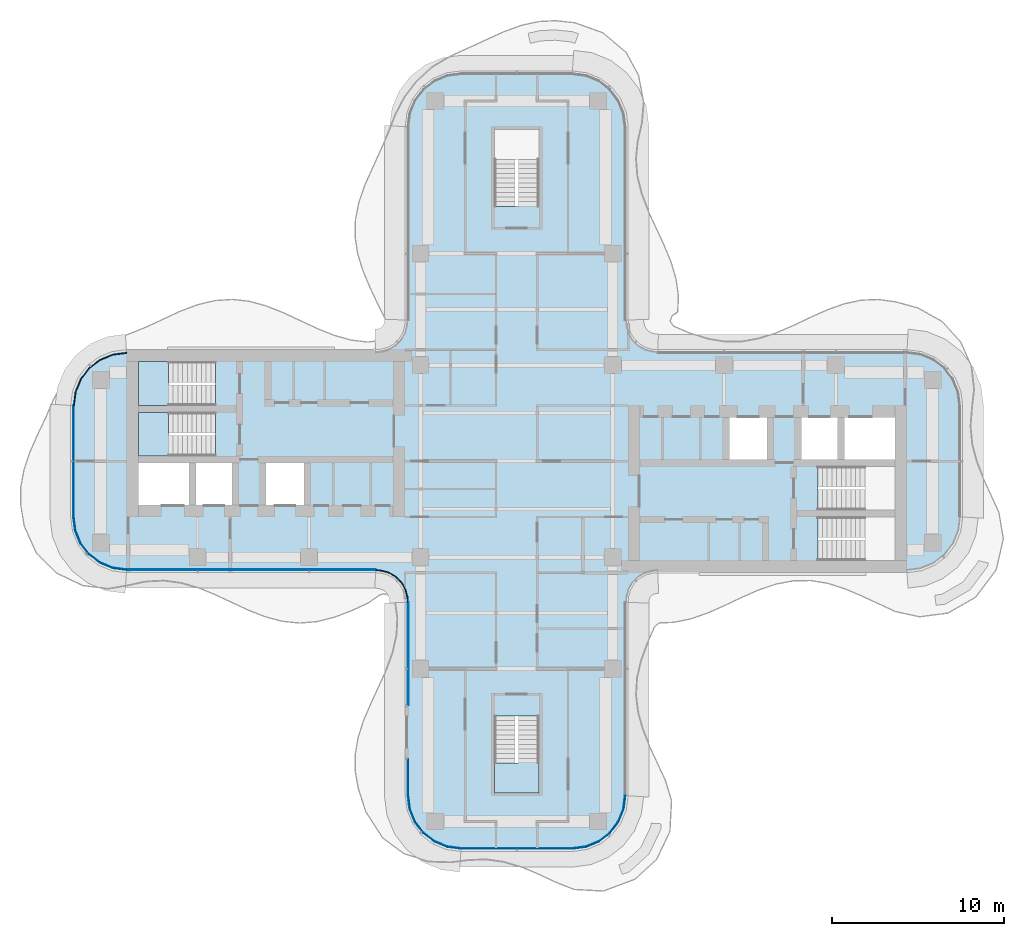
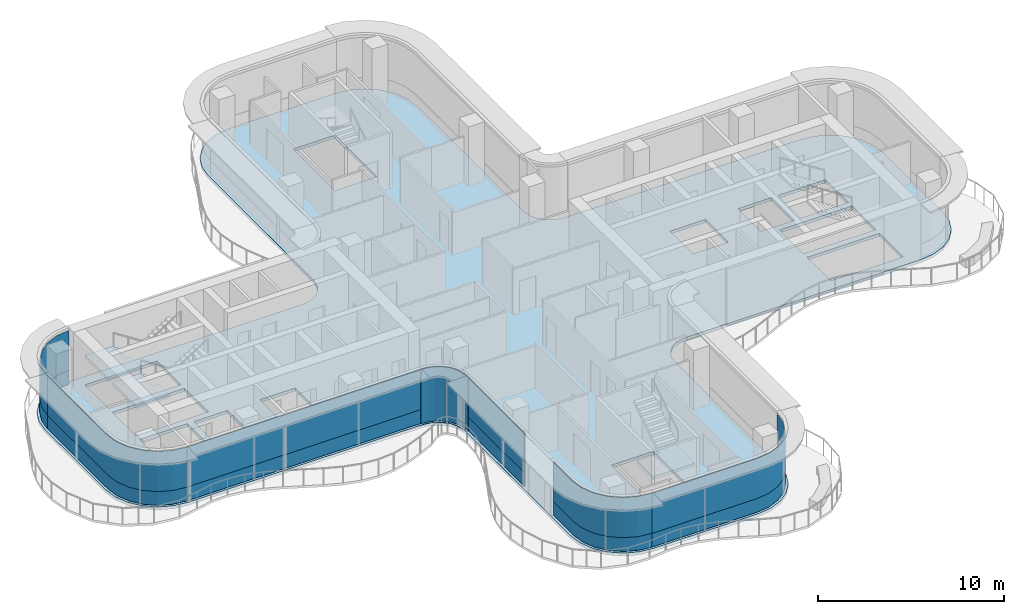
# One storey, part 8 of 16: 13 plates, 4 slabs, 10 elements without a shape of their own.
"""IFC4 building model written with IfcOpenShell, lengths in metres."""

from ifc_helpers import new_model, si_unit, direction, frame, origin, place, context, subcontext, project, spatial, polyline, outline, extrude, source, transform, mapped, material, layer, layer_set, type_object, element, aggregate, save


model = new_model("IFC4")

# Units and contexts
model_context = context("Model", 3, precision=1e-05, world=origin(), true_north=direction((0.0, 1.0)))
body_context = subcontext(model_context, "Body", "Model", "MODEL_VIEW")
ifc_project = project(units=[si_unit("LENGTHUNIT", "METRE"), si_unit("AREAUNIT", "SQUARE_METRE"), si_unit("VOLUMEUNIT", "CUBIC_METRE"), si_unit("PLANEANGLEUNIT", "RADIAN"), si_unit("MASSUNIT", "GRAM", prefix="KILO")], contexts=[model_context])

# Site, building, storey
site_placement = place(None, origin())
site = spatial("IfcSite", under=ifc_project, at=site_placement, CompositionType="ELEMENT")
building_placement = place(site_placement, origin())
building = spatial("IfcBuilding", under=site, at=building_placement, Name="Trellis Farm Tower", CompositionType="ELEMENT")
storey_placement = place(building_placement, frame((0.0, 0.0, 298.89990234375)))
storey = spatial("IfcBuildingStorey", under=building, at=storey_placement, Name="L67", CompositionType="ELEMENT", Elevation=298.89990234375)

# Slab
ifc_material_1 = material(Name="Concrete C40/50", Category="concrete")
ifc_layer_1 = layer(ifc_material_1, 0.199951171875)
ifc_layer_set_1 = layer_set([ifc_layer_1], Name="Composite deck floor slab 200")
slab_type_1 = type_object("IfcSlabType", Name="Composite deck floor slab 200", PredefinedType="FLOOR", material=ifc_layer_set_1)
shared_shape_1 = source(origin(), body_context, "Body", "SweptSolid", [
    extrude(outline(polyline([(-23.59130859375, -6.389404296875), (-24.375, -6.064697265625), (-25.048095703125, -5.548095703125), (-25.564697265625, -4.875), (-25.889404296875, -4.09130859375), (-26.0, -3.25), (-26.0, 3.25), (-25.889404296875, 4.09130859375), (-25.564697265625, 4.875), (-25.048095703125, 5.548095703125), (-24.375, 6.064697265625), (-23.59130859375, 6.389404296875), (-22.75, 6.5), (-8.2314453125, 6.5), (-8.01953125, 6.513916015625), (-7.91552734375, 6.527587890625), (-7.508544921875, 6.63671875), (-7.144287109375, 6.846923828125), (-6.846923828125, 7.144287109375), (-6.63671875, 7.508544921875), (-6.527587890625, 7.91552734375), (-6.513916015625, 8.01953125), (-6.5, 8.2314453125), (-6.5, 19.5), (-6.389404296875, 20.34130859375), (-6.064697265625, 21.125), (-5.548095703125, 21.798095703125), (-4.875, 22.314697265625), (-4.09130859375, 22.639404296875), (-3.25, 22.75), (3.25, 22.75), (4.09130859375, 22.639404296875), (4.875, 22.314697265625), (5.548095703125, 21.798095703125), (6.064697265625, 21.125), (6.389404296875, 20.34130859375), (6.5, 19.5), (6.5, 8.2314453125), (6.513916015625, 8.01953125), (6.527587890625, 7.91552734375), (6.63671875, 7.508544921875), (6.846923828125, 7.144287109375), (7.144287109375, 6.846923828125), (7.508544921875, 6.63671875), (7.91552734375, 6.527587890625), (8.01953125, 6.513916015625), (8.2314453125, 6.5), (22.75, 6.5), (23.59130859375, 6.389404296875), (24.375, 6.064697265625), (25.048095703125, 5.548095703125), (25.564697265625, 4.875), (25.889404296875, 4.09130859375), (26.0, 3.25), (26.0, -3.25), (25.889404296875, -4.09130859375), (25.564697265625, -4.875), (25.048095703125, -5.548095703125), (24.375, -6.064697265625), (23.59130859375, -6.389404296875), (22.75, -6.5), (8.2314453125, -6.5), (8.01953125, -6.513916015625), (7.91552734375, -6.527587890625), (7.508544921875, -6.63671875), (7.144287109375, -6.846923828125), (6.846923828125, -7.144287109375), (6.63671875, -7.508544921875), (6.527587890625, -7.91552734375), (6.513916015625, -8.01953125), (6.5, -8.2314453125), (6.5, -19.5), (6.389404296875, -20.34130859375), (6.064697265625, -21.125), (5.548095703125, -21.798095703125), (4.875, -22.314697265625), (4.09130859375, -22.639404296875), (3.25, -22.75), (-3.25, -22.75), (-4.09130859375, -22.639404296875), (-4.875, -22.314697265625), (-5.548095703125, -21.798095703125), (-6.064697265625, -21.125), (-6.389404296875, -20.34130859375), (-6.5, -19.5), (-6.5, -8.2314453125), (-6.513916015625, -8.01953125), (-6.527587890625, -7.91552734375), (-6.63671875, -7.508544921875), (-6.846923828125, -7.144287109375), (-7.144287109375, -6.846923828125), (-7.508544921875, -6.63671875), (-7.91552734375, -6.527587890625), (-8.01953125, -6.513916015625), (-8.2314453125, -6.5), (-22.75, -6.5), (-23.59130859375, -6.389404296875)]), holes=[polyline([(-22.050048828125, -2.550048828125), (-19.10009765625, -2.550048828125), (-19.10009765625, -0.10009765625), (-22.050048828125, -0.10009765625), (-22.050048828125, -2.550048828125)]), polyline([(-18.699951171875, -0.10009765625), (-18.699951171875, -2.550048828125), (-16.60009765625, -2.550048828125), (-16.60009765625, -0.10009765625), (-18.699951171875, -0.10009765625)]), polyline([(-14.60009765625, -0.10009765625), (-14.60009765625, -2.550048828125), (-12.39990234375, -2.550048828125), (-12.39990234375, -0.10009765625), (-14.60009765625, -0.10009765625)]), polyline([(-17.56201171875, 2.85009765625), (-22.050048828125, 2.85009765625), (-22.050048828125, 0.300048828125), (-17.56005859375, 0.300048828125), (-17.56005859375, 1.5), (-17.550048828125, 1.5), (-17.550048828125, 1.64990234375), (-17.56201171875, 1.64990234375), (-17.56201171875, 2.85009765625)]), polyline([(-17.56201171875, 4.60009765625), (-17.56201171875, 5.800048828125), (-22.050048828125, 5.800048828125), (-22.050048828125, 3.25), (-17.56005859375, 3.25), (-17.56005859375, 4.449951171875), (-17.550048828125, 4.449951171875), (-17.550048828125, 4.60009765625), (-17.56201171875, 4.60009765625)]), polyline([(0.10009765625, 14.862060546875), (1.300048828125, 14.862060546875), (1.300048828125, 19.35009765625), (-1.300048828125, 19.35009765625), (-1.300048828125, 14.860107421875), (-0.10009765625, 14.860107421875), (-0.10009765625, 14.85009765625), (0.10009765625, 14.85009765625), (0.10009765625, 14.862060546875)]), polyline([(-1.300048828125, -14.862060546875), (-1.300048828125, -19.35009765625), (1.300048828125, -19.35009765625), (1.300048828125, -14.860107421875), (0.10009765625, -14.860107421875), (0.10009765625, -14.85009765625), (-0.10009765625, -14.85009765625), (-0.10009765625, -14.862060546875), (-1.300048828125, -14.862060546875)]), polyline([(17.56201171875, -4.60009765625), (17.56201171875, -5.800048828125), (22.050048828125, -5.800048828125), (22.050048828125, -3.25), (17.56005859375, -3.25), (17.56005859375, -4.449951171875), (17.550048828125, -4.449951171875), (17.550048828125, -4.60009765625), (17.56201171875, -4.60009765625)]), polyline([(17.56201171875, -1.64990234375), (17.56201171875, -2.85009765625), (22.050048828125, -2.85009765625), (22.050048828125, -0.300048828125), (17.56005859375, -0.300048828125), (17.56005859375, -1.5), (17.550048828125, -1.5), (17.550048828125, -1.64990234375), (17.56201171875, -1.64990234375)]), polyline([(14.60009765625, 2.550048828125), (12.39990234375, 2.550048828125), (12.39990234375, 0.10009765625), (14.60009765625, 0.10009765625), (14.60009765625, 2.550048828125)]), polyline([(18.699951171875, 0.10009765625), (18.699951171875, 2.550048828125), (16.60009765625, 2.550048828125), (16.60009765625, 0.10009765625), (18.699951171875, 0.10009765625)]), polyline([(22.050048828125, 0.10009765625), (22.050048828125, 2.550048828125), (19.10009765625, 2.550048828125), (19.10009765625, 0.10009765625), (22.050048828125, 0.10009765625)])]), origin(), (0.0, 0.0, 1.0), 0.199951171875),
])
slab_1_placement = place(storey_placement, frame((0.0, 0.0, -0.199951171875)))
element("IfcSlab", 1, at=slab_1_placement, inside=storey, type_object=slab_type_1, Name="Floor slab", PredefinedType="FLOOR", context=body_context, shape_type="MappedRepresentation", body=[
    mapped(shared_shape_1, transform((0.0, 0.0, 0.0))),
])

# Stair, slab
ifc_material_2 = material(Name="Concrete C50/60", Category="concrete")
stair_type = type_object("IfcStairType", Name="CORE EXIT STAIR 22 RISERS 177 MM", PredefinedType="HALF_TURN_STAIR", material=ifc_material_2)
placement_1 = place(storey_placement, origin())
stair_1 = element("IfcStair", 2, at=placement_1, inside=storey, type_object=stair_type, Name="Exit stair S", PredefinedType="HALF_TURN_STAIR")
ifc_layer_2 = layer(ifc_material_2, 0.18994140625)
ifc_layer_set_2 = layer_set([ifc_layer_2], Name="CORE STAIR LANDING 190 CONCRETE C50/60")
slab_type_2 = type_object("IfcSlabType", Name="CORE STAIR LANDING 190 CONCRETE C50/60", PredefinedType="LANDING", material=ifc_layer_set_2)
shared_shape_2 = source(origin(), body_context, "Body", "SweptSolid", [
    extrude(outline(polyline([(1.300048828125, -19.35009765625), (-1.300048828125, -19.35009765625), (-1.300048828125, -17.60009765625), (-1.300048828125, -17.590087890625), (-0.10009765625, -17.590087890625), (-0.10009765625, -17.60009765625), (0.10009765625, -17.60009765625), (0.10009765625, -17.27197265625), (1.300048828125, -17.27197265625), (1.300048828125, -17.60009765625), (1.300048828125, -19.35009765625)])), origin(), (0.0, 0.0, 1.0), 0.190185546875),
])
placement_2 = place(storey_placement, frame((0.0, 0.0, 1.760009765625)))
slab_2 = element("IfcSlab", 3, at=placement_2, type_object=slab_type_2, Name="STS landing 1", PredefinedType="LANDING", context=body_context, shape_type="MappedRepresentation", body=[
    mapped(shared_shape_2, transform((0.0, 0.0, 0.0))),
])
aggregate(stair_1, [slab_2])

stair_2 = element("IfcStair", 4, at=placement_1, inside=storey, type_object=stair_type, Name="Exit stair W1", PredefinedType="HALF_TURN_STAIR")
shared_shape_3 = source(origin(), body_context, "Body", "SweptSolid", [
    extrude(outline(polyline([(-19.971923828125, 4.449951171875), (-19.971923828125, 3.25), (-20.300048828125, 3.25), (-22.050048828125, 3.25), (-22.050048828125, 5.800048828125), (-20.300048828125, 5.800048828125), (-20.2900390625, 5.800048828125), (-20.2900390625, 4.60009765625), (-20.300048828125, 4.60009765625), (-20.300048828125, 4.449951171875), (-19.971923828125, 4.449951171875)])), origin(), (0.0, 0.0, 1.0), 0.190185546875),
])
slab_3 = element("IfcSlab", 5, at=placement_2, type_object=slab_type_2, Name="STW1 landing 1", PredefinedType="LANDING", context=body_context, shape_type="MappedRepresentation", body=[
    mapped(shared_shape_3, transform((0.0, 0.0, 0.0))),
])
aggregate(stair_2, [slab_3])

stair_3 = element("IfcStair", 6, at=placement_1, inside=storey, type_object=stair_type, Name="Exit stair W2", PredefinedType="HALF_TURN_STAIR")
shared_shape_4 = source(origin(), body_context, "Body", "SweptSolid", [
    extrude(outline(polyline([(-19.971923828125, 1.5), (-19.971923828125, 0.300048828125), (-20.300048828125, 0.300048828125), (-22.050048828125, 0.300048828125), (-22.050048828125, 2.85009765625), (-20.300048828125, 2.85009765625), (-20.2900390625, 2.85009765625), (-20.2900390625, 1.64990234375), (-20.300048828125, 1.64990234375), (-20.300048828125, 1.5), (-19.971923828125, 1.5)])), origin(), (0.0, 0.0, 1.0), 0.190185546875),
])
slab_4 = element("IfcSlab", 7, at=placement_2, type_object=slab_type_2, Name="STW2 landing 1", PredefinedType="LANDING", context=body_context, shape_type="MappedRepresentation", body=[
    mapped(shared_shape_4, transform((0.0, 0.0, 0.0))),
])
aggregate(stair_3, [slab_4])

# Curtain wall, plate
ifc_material_3 = material(Name="Aluminium and glass curtain wall", Category="aluminium")
ifc_layer_3 = layer(ifc_material_3, 0.166015625)
ifc_layer_set_3 = layer_set([ifc_layer_3], Name="WINTER GARDEN CURTAIN WALL CW3")
curtain_wall_type_1 = type_object("IfcCurtainWallType", Name="WINTER GARDEN CURTAIN WALL CW3", PredefinedType="NOTDEFINED", material=ifc_layer_set_3)
curtain_wall_1 = element("IfcCurtainWall", 8, at=placement_1, inside=storey, type_object=curtain_wall_type_1, Name="CW3 001", PredefinedType="NOTDEFINED")
ifc_material_4 = material(Name="Clear insulated glass", Category="glass")
ifc_layer_4 = layer(ifc_material_4, 0.0458984375)
ifc_layer_set_4 = layer_set([ifc_layer_4], Name="CW3 GLASS PANEL 46")
plate_type_1 = type_object("IfcPlateType", Name="CW3 GLASS PANEL 46", PredefinedType="CURTAIN_PANEL", material=ifc_layer_set_4)
shared_shape_5 = source(origin(), body_context, "Body", "SweptSolid", [
    extrude(outline(polyline([(-8.2275390625, -6.3798828125), (-8.0078125, -6.394287109375), (-7.89208984375, -6.40966796875), (-7.462158203125, -6.52490234375), (-7.070556640625, -6.7509765625), (-6.7509765625, -7.070556640625), (-6.52490234375, -7.462158203125), (-6.40966796875, -7.89208984375), (-6.394287109375, -8.0078125), (-6.3798828125, -8.2275390625), (-6.333984375, -8.22607421875), (-6.3486328125, -8.003173828125), (-6.364501953125, -7.883056640625), (-6.48193359375, -7.4443359375), (-6.714111328125, -7.04248046875), (-7.04248046875, -6.714111328125), (-7.4443359375, -6.48193359375), (-7.883056640625, -6.364501953125), (-8.003173828125, -6.3486328125), (-8.22607421875, -6.333984375), (-8.2275390625, -6.3798828125)])), origin(), (0.0, 0.0, 1.0), 3.550048828125),
])
plate_1 = element("IfcPlate", 9, at=placement_1, type_object=plate_type_1, Name="PL3 001", PredefinedType="CURTAIN_PANEL", context=body_context, shape_type="MappedRepresentation", body=[
    mapped(shared_shape_5, transform((0.0, 0.0, 0.0))),
])
aggregate(curtain_wall_1, [plate_1])

# Curtain wall, plates
ifc_layer_5 = layer(ifc_material_3, 0.18994140625)
ifc_layer_set_5 = layer_set([ifc_layer_5], Name="RIBBON CURTAIN WALL CW1")
curtain_wall_type_2 = type_object("IfcCurtainWallType", Name="RIBBON CURTAIN WALL CW1", PredefinedType="NOTDEFINED", material=ifc_layer_set_5)
curtain_wall_2 = element("IfcCurtainWall", 10, at=placement_1, inside=storey, type_object=curtain_wall_type_2, Name="CW1 004", PredefinedType="NOTDEFINED")
ifc_layer_6 = layer(ifc_material_4, 0.0400390625)
ifc_layer_set_6 = layer_set([ifc_layer_6], Name="CW1 GLASS PANEL 40")
plate_type_2 = type_object("IfcPlateType", Name="CW1 GLASS PANEL 40", PredefinedType="CURTAIN_PANEL", material=ifc_layer_set_6)
shared_shape_6 = source(origin(), body_context, "Body", "SweptSolid", [
    extrude(outline(polyline([(-3.240234375, -22.60009765625), (3.240234375, -22.60009765625), (4.052001953125, -22.4931640625), (4.79931640625, -22.18359375), (5.441162109375, -21.691162109375), (5.93359375, -21.04931640625), (6.2431640625, -20.302001953125), (6.35009765625, -19.490234375), (6.31005859375, -19.487548828125), (6.2041015625, -20.29150390625), (5.898681640625, -21.029296875), (5.41259765625, -21.66259765625), (4.779296875, -22.148681640625), (4.04150390625, -22.4541015625), (3.237548828125, -22.56005859375), (-3.237548828125, -22.56005859375), (-3.240234375, -22.60009765625)])), origin(), (0.0, 0.0, 1.0), 2.619873046875),
])
placement_3 = place(storey_placement, frame((0.0, 0.0, 0.900146484375)))
plate_2 = element("IfcPlate", 11, at=placement_3, type_object=plate_type_2, Name="PL1 004", PredefinedType="CURTAIN_PANEL", context=body_context, shape_type="MappedRepresentation", body=[
    mapped(shared_shape_6, transform((0.0, 0.0, 0.0))),
])
ifc_material_5 = material(Name="Sandstone faced insulated panel", Category="masonry")
ifc_layer_7 = layer(ifc_material_5, 0.050048828125)
ifc_layer_set_7 = layer_set([ifc_layer_7], Name="CW1 STONE SPANDREL PANEL 50")
plate_type_3 = type_object("IfcPlateType", Name="CW1 STONE SPANDREL PANEL 50", PredefinedType="CURTAIN_PANEL", material=ifc_layer_set_7)
shared_shape_7 = source(origin(), body_context, "Body", "SweptSolid", [
    extrude(outline(polyline([(-3.240234375, -22.60009765625), (3.240234375, -22.60009765625), (4.052001953125, -22.4931640625), (4.79931640625, -22.18359375), (5.441162109375, -21.691162109375), (5.93359375, -21.04931640625), (6.2431640625, -20.302001953125), (6.35009765625, -19.490234375), (6.300048828125, -19.48681640625), (6.1943359375, -20.2890625), (5.889892578125, -21.024169921875), (5.405517578125, -21.655517578125), (4.774169921875, -22.139892578125), (4.0390625, -22.4443359375), (3.23681640625, -22.550048828125), (-3.23681640625, -22.550048828125), (-3.240234375, -22.60009765625)])), origin(), (0.0, 0.0, 1.0), 0.900146484375),
])
plate_3 = element("IfcPlate", 12, at=placement_1, type_object=plate_type_3, Name="PS1 004", PredefinedType="CURTAIN_PANEL", context=body_context, shape_type="MappedRepresentation", body=[
    mapped(shared_shape_7, transform((0.0, 0.0, 0.0))),
])
aggregate(curtain_wall_2, [plate_2, plate_3])

curtain_wall_3 = element("IfcCurtainWall", 13, at=placement_1, inside=storey, type_object=curtain_wall_type_2, Name="CW1 001", PredefinedType="NOTDEFINED")
shared_shape_8 = source(origin(), body_context, "Body", "SweptSolid", [
    extrude(outline(polyline([(-22.740234375, -6.35009765625), (-8.2265625, -6.35009765625), (-8.22509765625, -6.31005859375), (-22.737548828125, -6.31005859375), (-22.740234375, -6.35009765625)])), origin(), (0.0, 0.0, 1.0), 2.619873046875),
])
plate_4 = element("IfcPlate", 14, at=placement_3, type_object=plate_type_2, Name="PL1 001", PredefinedType="CURTAIN_PANEL", context=body_context, shape_type="MappedRepresentation", body=[
    mapped(shared_shape_8, transform((0.0, 0.0, 0.0))),
])
shared_shape_9 = source(origin(), body_context, "Body", "SweptSolid", [
    extrude(outline(polyline([(-22.740234375, -6.35009765625), (-8.2265625, -6.35009765625), (-8.224853515625, -6.300048828125), (-22.73681640625, -6.300048828125), (-22.740234375, -6.35009765625)])), origin(), (0.0, 0.0, 1.0), 0.900146484375),
])
plate_5 = element("IfcPlate", 15, at=placement_1, type_object=plate_type_3, Name="PS1 001", PredefinedType="CURTAIN_PANEL", context=body_context, shape_type="MappedRepresentation", body=[
    mapped(shared_shape_9, transform((0.0, 0.0, 0.0))),
])
aggregate(curtain_wall_3, [plate_4, plate_5])

curtain_wall_4 = element("IfcCurtainWall", 16, at=placement_1, inside=storey, type_object=curtain_wall_type_2, Name="CW1 012", PredefinedType="NOTDEFINED")
shared_shape_10 = source(origin(), body_context, "Body", "SweptSolid", [
    extrude(outline(polyline([(-22.740234375, 6.35009765625), (-23.552001953125, 6.2431640625), (-24.29931640625, 5.93359375), (-24.941162109375, 5.441162109375), (-25.43359375, 4.79931640625), (-25.7431640625, 4.052001953125), (-25.85009765625, 3.240234375), (-25.81005859375, 3.237548828125), (-25.7041015625, 4.04150390625), (-25.398681640625, 4.779296875), (-24.91259765625, 5.41259765625), (-24.279296875, 5.898681640625), (-23.54150390625, 6.2041015625), (-22.737548828125, 6.31005859375), (-22.740234375, 6.35009765625)])), origin(), (0.0, 0.0, 1.0), 2.619873046875),
])
plate_6 = element("IfcPlate", 17, at=placement_3, type_object=plate_type_2, Name="PL1 012", PredefinedType="CURTAIN_PANEL", context=body_context, shape_type="MappedRepresentation", body=[
    mapped(shared_shape_10, transform((0.0, 0.0, 0.0))),
])
shared_shape_11 = source(origin(), body_context, "Body", "SweptSolid", [
    extrude(outline(polyline([(-22.740234375, 6.35009765625), (-23.552001953125, 6.2431640625), (-24.29931640625, 5.93359375), (-24.941162109375, 5.441162109375), (-25.43359375, 4.79931640625), (-25.7431640625, 4.052001953125), (-25.85009765625, 3.240234375), (-25.800048828125, 3.23681640625), (-25.6943359375, 4.0390625), (-25.389892578125, 4.774169921875), (-24.905517578125, 5.405517578125), (-24.274169921875, 5.889892578125), (-23.5390625, 6.1943359375), (-22.73681640625, 6.300048828125), (-22.740234375, 6.35009765625)])), origin(), (0.0, 0.0, 1.0), 0.900146484375),
])
plate_7 = element("IfcPlate", 18, at=placement_1, type_object=plate_type_3, Name="PS1 012", PredefinedType="CURTAIN_PANEL", context=body_context, shape_type="MappedRepresentation", body=[
    mapped(shared_shape_11, transform((0.0, 0.0, 0.0))),
])
aggregate(curtain_wall_4, [plate_6, plate_7])

curtain_wall_5 = element("IfcCurtainWall", 19, at=placement_1, inside=storey, type_object=curtain_wall_type_2, Name="CW1 013", PredefinedType="NOTDEFINED")
shared_shape_12 = source(origin(), body_context, "Body", "SweptSolid", [
    extrude(outline(polyline([(-25.85009765625, 3.240234375), (-25.85009765625, -3.240234375), (-25.7431640625, -4.052001953125), (-25.43359375, -4.79931640625), (-24.941162109375, -5.441162109375), (-24.29931640625, -5.93359375), (-23.552001953125, -6.2431640625), (-22.740234375, -6.35009765625), (-22.737548828125, -6.31005859375), (-23.54150390625, -6.2041015625), (-24.279296875, -5.898681640625), (-24.91259765625, -5.41259765625), (-25.398681640625, -4.779296875), (-25.7041015625, -4.04150390625), (-25.81005859375, -3.237548828125), (-25.81005859375, 3.237548828125), (-25.85009765625, 3.240234375)])), origin(), (0.0, 0.0, 1.0), 2.619873046875),
])
plate_8 = element("IfcPlate", 20, at=placement_3, type_object=plate_type_2, Name="PL1 013", PredefinedType="CURTAIN_PANEL", context=body_context, shape_type="MappedRepresentation", body=[
    mapped(shared_shape_12, transform((0.0, 0.0, 0.0))),
])
shared_shape_13 = source(origin(), body_context, "Body", "SweptSolid", [
    extrude(outline(polyline([(-25.85009765625, 3.240234375), (-25.85009765625, -3.240234375), (-25.7431640625, -4.052001953125), (-25.43359375, -4.79931640625), (-24.941162109375, -5.441162109375), (-24.29931640625, -5.93359375), (-23.552001953125, -6.2431640625), (-22.740234375, -6.35009765625), (-22.73681640625, -6.300048828125), (-23.5390625, -6.1943359375), (-24.274169921875, -5.889892578125), (-24.905517578125, -5.405517578125), (-25.389892578125, -4.774169921875), (-25.6943359375, -4.0390625), (-25.800048828125, -3.23681640625), (-25.800048828125, 3.23681640625), (-25.85009765625, 3.240234375)])), origin(), (0.0, 0.0, 1.0), 0.900146484375),
])
plate_9 = element("IfcPlate", 21, at=placement_1, type_object=plate_type_3, Name="PS1 013", PredefinedType="CURTAIN_PANEL", context=body_context, shape_type="MappedRepresentation", body=[
    mapped(shared_shape_13, transform((0.0, 0.0, 0.0))),
])
aggregate(curtain_wall_5, [plate_8, plate_9])

curtain_wall_6 = element("IfcCurtainWall", 22, at=placement_1, inside=storey, type_object=curtain_wall_type_2, Name="CW1 002", PredefinedType="NOTDEFINED")
shared_shape_14 = source(origin(), body_context, "Body", "SweptSolid", [
    extrude(outline(polyline([(-6.35009765625, -8.2265625), (-6.35009765625, -14.239990234375), (-6.31005859375, -14.239990234375), (-6.31005859375, -8.22509765625), (-6.35009765625, -8.2265625)])), origin(), (0.0, 0.0, 1.0), 2.619873046875),
])
plate_10 = element("IfcPlate", 23, at=placement_3, type_object=plate_type_2, Name="PL1 002", PredefinedType="CURTAIN_PANEL", context=body_context, shape_type="MappedRepresentation", body=[
    mapped(shared_shape_14, transform((0.0, 0.0, 0.0))),
])
shared_shape_15 = source(origin(), body_context, "Body", "SweptSolid", [
    extrude(outline(polyline([(-6.35009765625, -8.2265625), (-6.35009765625, -14.239990234375), (-6.300048828125, -14.239990234375), (-6.300048828125, -8.224853515625), (-6.35009765625, -8.2265625)])), origin(), (0.0, 0.0, 1.0), 0.900146484375),
])
plate_11 = element("IfcPlate", 24, at=placement_1, type_object=plate_type_3, Name="PS1 002", PredefinedType="CURTAIN_PANEL", context=body_context, shape_type="MappedRepresentation", body=[
    mapped(shared_shape_15, transform((0.0, 0.0, 0.0))),
])
aggregate(curtain_wall_6, [plate_10, plate_11])

curtain_wall_7 = element("IfcCurtainWall", 25, at=placement_1, inside=storey, type_object=curtain_wall_type_2, Name="CW1 003", PredefinedType="NOTDEFINED")
shared_shape_16 = source(origin(), body_context, "Body", "SweptSolid", [
    extrude(outline(polyline([(-6.35009765625, -17.360107421875), (-6.35009765625, -19.490234375), (-6.2431640625, -20.302001953125), (-5.93359375, -21.04931640625), (-5.441162109375, -21.691162109375), (-4.79931640625, -22.18359375), (-4.052001953125, -22.4931640625), (-3.240234375, -22.60009765625), (-3.237548828125, -22.56005859375), (-4.04150390625, -22.4541015625), (-4.779296875, -22.148681640625), (-5.41259765625, -21.66259765625), (-5.898681640625, -21.029296875), (-6.2041015625, -20.29150390625), (-6.31005859375, -19.487548828125), (-6.31005859375, -17.360107421875), (-6.35009765625, -17.360107421875)])), origin(), (0.0, 0.0, 1.0), 2.619873046875),
])
plate_12 = element("IfcPlate", 26, at=placement_3, type_object=plate_type_2, Name="PL1 003", PredefinedType="CURTAIN_PANEL", context=body_context, shape_type="MappedRepresentation", body=[
    mapped(shared_shape_16, transform((0.0, 0.0, 0.0))),
])
shared_shape_17 = source(origin(), body_context, "Body", "SweptSolid", [
    extrude(outline(polyline([(-6.35009765625, -17.360107421875), (-6.35009765625, -19.490234375), (-6.2431640625, -20.302001953125), (-5.93359375, -21.04931640625), (-5.441162109375, -21.691162109375), (-4.79931640625, -22.18359375), (-4.052001953125, -22.4931640625), (-3.240234375, -22.60009765625), (-3.23681640625, -22.550048828125), (-4.0390625, -22.4443359375), (-4.774169921875, -22.139892578125), (-5.405517578125, -21.655517578125), (-5.889892578125, -21.024169921875), (-6.1943359375, -20.2890625), (-6.300048828125, -19.48681640625), (-6.300048828125, -17.360107421875), (-6.35009765625, -17.360107421875)])), origin(), (0.0, 0.0, 1.0), 0.900146484375),
])
plate_13 = element("IfcPlate", 27, at=placement_1, type_object=plate_type_3, Name="PS1 003", PredefinedType="CURTAIN_PANEL", context=body_context, shape_type="MappedRepresentation", body=[
    mapped(shared_shape_17, transform((0.0, 0.0, 0.0))),
])
aggregate(curtain_wall_7, [plate_12, plate_13])

save(model, "model.ifc")
